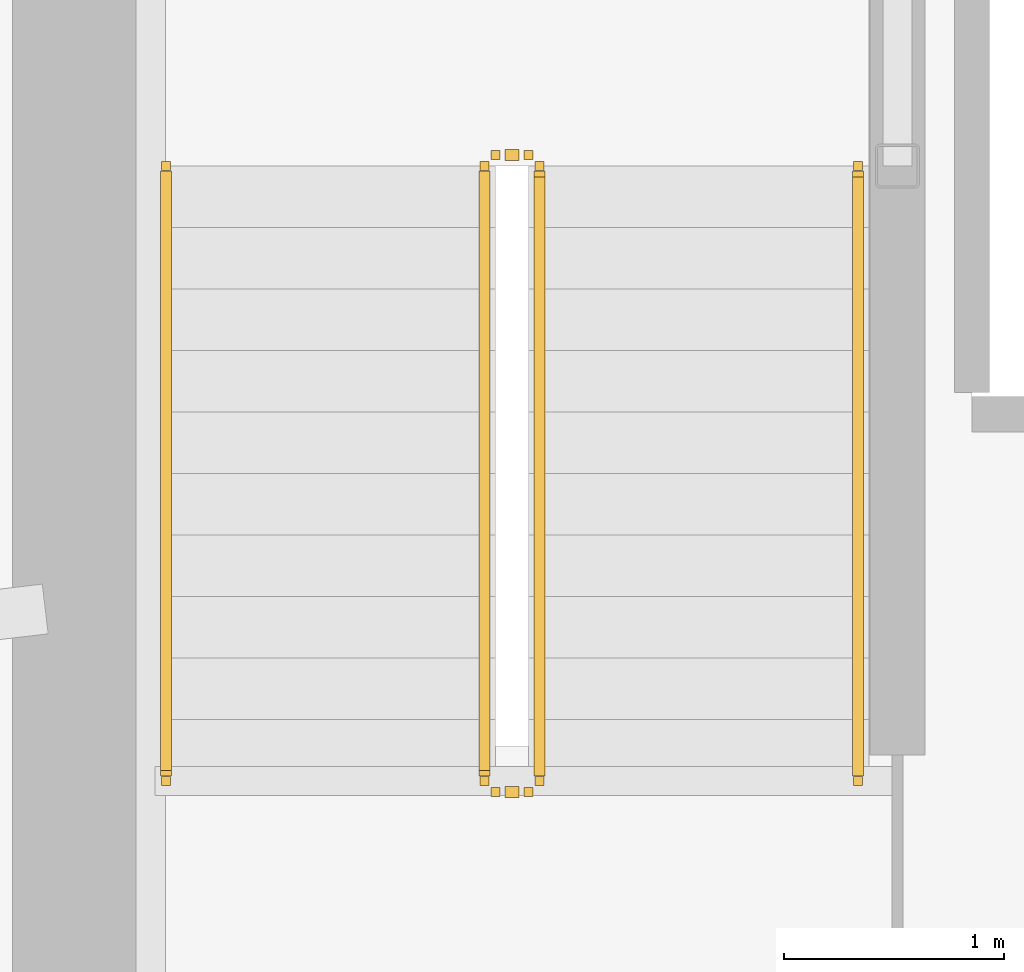
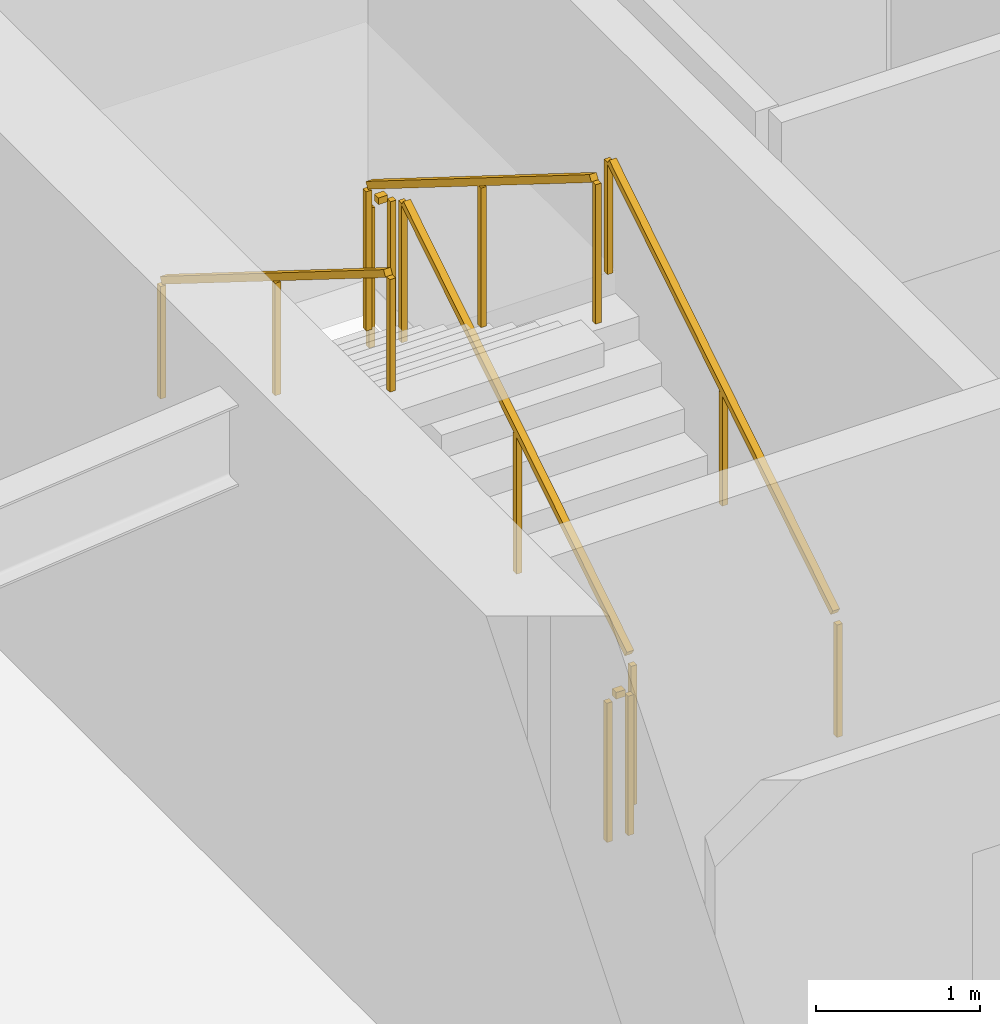
# One storey, part 25 of 30: 6 railings.
"""IFC4 building model written with IfcOpenShell, lengths in metres."""

from ifc_helpers import new_model, si_unit, direction, frame, origin, origin_2d, place, context, subcontext, project, spatial, rectangle, extrude, material, type_object, element, save


model = new_model("IFC4")

# Units and contexts
model_context = context("Model", 3, precision=1e-05, world=origin(), true_north=direction((0.0, 1.0)))
body_context = subcontext(model_context, "Body", "Model", "MODEL_VIEW")
ifc_project = project(units=[si_unit("LENGTHUNIT", "METRE"), si_unit("AREAUNIT", "SQUARE_METRE"), si_unit("VOLUMEUNIT", "CUBIC_METRE"), si_unit("PLANEANGLEUNIT", "RADIAN"), si_unit("MASSUNIT", "GRAM", prefix="KILO")], contexts=[model_context])

# Site, building, storey
site_placement = place(None, origin())
site = spatial("IfcSite", under=ifc_project, at=site_placement, CompositionType="ELEMENT")
building_placement = place(site_placement, origin())
building = spatial("IfcBuilding", under=site, at=building_placement, Name="Kazma Halo Residences", CompositionType="ELEMENT")
storey_placement = place(building_placement, frame((0.0, 0.0, 267.5)))
storey = spatial("IfcBuildingStorey", under=building, at=storey_placement, Name="L67", CompositionType="ELEMENT", Elevation=267.5)

# Railings
ifc_material_1 = material(Name="Painted Steel S355", Category="steel")
railing_type_1 = type_object("IfcRailingType", Name="RLG-STAIR-GRD-1100", PredefinedType="GUARDRAIL", material=ifc_material_1)
railing_1_placement = place(storey_placement, frame((39.550048828125, 39.949951171875, 0.175048828125)))
element("IfcRailing", 1, at=railing_1_placement, inside=storey, type_object=railing_type_1, Name="L67 ST-01 stair guard 1", PredefinedType="GUARDRAIL", context=body_context, shape_type="SweptSolid", body=[
    extrude(rectangle(XDim=0.050048828125, YDim=0.050048828125, at=origin_2d()), frame((0.0, 0.0361328125, 1.09765625), z_axis=(0.0, 0.848002457836, 0.529992293815), x_axis=(-1.0, 0.0, 0.0)), (0.0, 0.0, 1.0), 3.216796875),
    extrude(rectangle(XDim=0.0400390625, YDim=0.0400390625, at=origin_2d()), origin(), (0.0, 0.0, 1.0), 1.0380859375),
    extrude(rectangle(XDim=0.0400390625, YDim=0.0400390625, at=origin_2d()), frame((0.0, 1.39990234375, 0.875)), (0.0, 0.0, 1.0), 1.0380859375),
    extrude(rectangle(XDim=0.0400390625, YDim=0.0400390625, at=origin_2d()), frame((0.0, 2.800048828125, 1.75)), (0.0, 0.0, 1.0), 1.0380859375),
])
railing_2_placement = place(storey_placement, frame((39.5, 42.800048828125, 1.925048828125)))
element("IfcRailing", 2, at=railing_2_placement, inside=storey, type_object=railing_type_1, Name="L67 ST-01 stair guard 2", PredefinedType="GUARDRAIL", context=body_context, shape_type="SweptSolid", body=[
    extrude(rectangle(XDim=0.050048828125, YDim=0.050048828125, at=origin_2d()), frame((-0.04248046875, 0.0, 1.0751953125), z_axis=(-1.0, 0.0, 0.0), x_axis=(0.0, -1.0, 0.0)), (0.0, 0.0, 1.0), 0.06494140625),
    extrude(rectangle(XDim=0.0400390625, YDim=0.0400390625, at=origin_2d()), origin(), (0.0, 0.0, 1.0), 1.0380859375),
    extrude(rectangle(XDim=0.0400390625, YDim=0.0400390625, at=origin_2d()), frame((-0.14990234375, 0.0, 0.0)), (0.0, 0.0, 1.0), 1.0380859375),
])
railing_3_placement = place(storey_placement, frame((39.300048828125, 42.75, 2.10009765625)))
element("IfcRailing", 3, at=railing_3_placement, inside=storey, type_object=railing_type_1, Name="L67 ST-01 stair guard 3", PredefinedType="GUARDRAIL", context=body_context, shape_type="SweptSolid", body=[
    extrude(rectangle(XDim=0.050048828125, YDim=0.050048828125, at=origin_2d()), frame((0.0, -0.0361328125, 1.09765625), z_axis=(0.0, -0.848002457836, 0.529992293815), x_axis=(1.0, 0.0, 0.0)), (0.0, 0.0, 1.0), 3.216796875),
    extrude(rectangle(XDim=0.0400390625, YDim=0.0400390625, at=origin_2d()), origin(), (0.0, 0.0, 1.0), 1.0380859375),
    extrude(rectangle(XDim=0.0400390625, YDim=0.0400390625, at=origin_2d()), frame((0.0, -1.39990234375, 0.875)), (0.0, 0.0, 1.0), 1.0380859375),
    extrude(rectangle(XDim=0.0400390625, YDim=0.0400390625, at=origin_2d()), frame((0.0, -2.800048828125, 1.75)), (0.0, 0.0, 1.0), 1.0380859375),
])
railing_4_placement = place(storey_placement, frame((39.5, 39.89990234375, 0.0)))
element("IfcRailing", 4, at=railing_4_placement, inside=storey, type_object=railing_type_1, Name="L67 ST-01 stair guard 4", PredefinedType="GUARDRAIL", context=body_context, shape_type="SweptSolid", body=[
    extrude(rectangle(XDim=0.050048828125, YDim=0.050048828125, at=origin_2d()), frame((-0.04248046875, 0.0, 1.0751953125), z_axis=(-1.0, 0.0, 0.0), x_axis=(0.0, -1.0, 0.0)), (0.0, 0.0, 1.0), 0.06494140625),
    extrude(rectangle(XDim=0.0400390625, YDim=0.0400390625, at=origin_2d()), origin(), (0.0, 0.0, 1.0), 1.0380859375),
    extrude(rectangle(XDim=0.0400390625, YDim=0.0400390625, at=origin_2d()), frame((-0.14990234375, 0.0, 0.0)), (0.0, 0.0, 1.0), 1.0380859375),
])
ifc_material_2 = material(Name="Brushed Stainless Steel", Category="steel")
railing_type_2 = type_object("IfcRailingType", Name="RLG-STAIR-HND-900", PredefinedType="HANDRAIL", material=ifc_material_2)
railing_5_placement = place(storey_placement, frame((41.0, 39.949951171875, 0.175048828125)))
element("IfcRailing", 5, at=railing_5_placement, inside=storey, type_object=railing_type_2, Name="L67 ST-01 stair handrail 1", PredefinedType="HANDRAIL", context=body_context, shape_type="SweptSolid", body=[
    extrude(rectangle(XDim=0.050048828125, YDim=0.050048828125, at=origin_2d()), frame((0.0, 0.0361328125, 0.8974609375), z_axis=(0.0, 0.848002457836, 0.529992293815), x_axis=(-1.0, 0.0, 0.0)), (0.0, 0.0, 1.0), 3.216796875),
    extrude(rectangle(XDim=0.0400390625, YDim=0.0400390625, at=origin_2d()), origin(), (0.0, 0.0, 1.0), 0.837890625),
    extrude(rectangle(XDim=0.0400390625, YDim=0.0400390625, at=origin_2d()), frame((0.0, 1.39990234375, 0.875)), (0.0, 0.0, 1.0), 0.837890625),
    extrude(rectangle(XDim=0.0400390625, YDim=0.0400390625, at=origin_2d()), frame((0.0, 2.800048828125, 1.75)), (0.0, 0.0, 1.0), 0.837890625),
])
railing_6_placement = place(storey_placement, frame((37.85009765625, 42.75, 2.10009765625)))
element("IfcRailing", 6, at=railing_6_placement, inside=storey, type_object=railing_type_2, Name="L67 ST-01 stair handrail 2", PredefinedType="HANDRAIL", context=body_context, shape_type="SweptSolid", body=[
    extrude(rectangle(XDim=0.050048828125, YDim=0.050048828125, at=origin_2d()), frame((0.0, -0.0361328125, 0.8974609375), z_axis=(0.0, -0.848002457836, 0.529992293815), x_axis=(1.0, 0.0, 0.0)), (0.0, 0.0, 1.0), 3.216796875),
    extrude(rectangle(XDim=0.0400390625, YDim=0.0400390625, at=origin_2d()), origin(), (0.0, 0.0, 1.0), 0.837890625),
    extrude(rectangle(XDim=0.0400390625, YDim=0.0400390625, at=origin_2d()), frame((0.0, -1.39990234375, 0.875)), (0.0, 0.0, 1.0), 0.837890625),
    extrude(rectangle(XDim=0.0400390625, YDim=0.0400390625, at=origin_2d()), frame((0.0, -2.800048828125, 1.75)), (0.0, 0.0, 1.0), 0.837890625),
])

save(model, "model.ifc")
